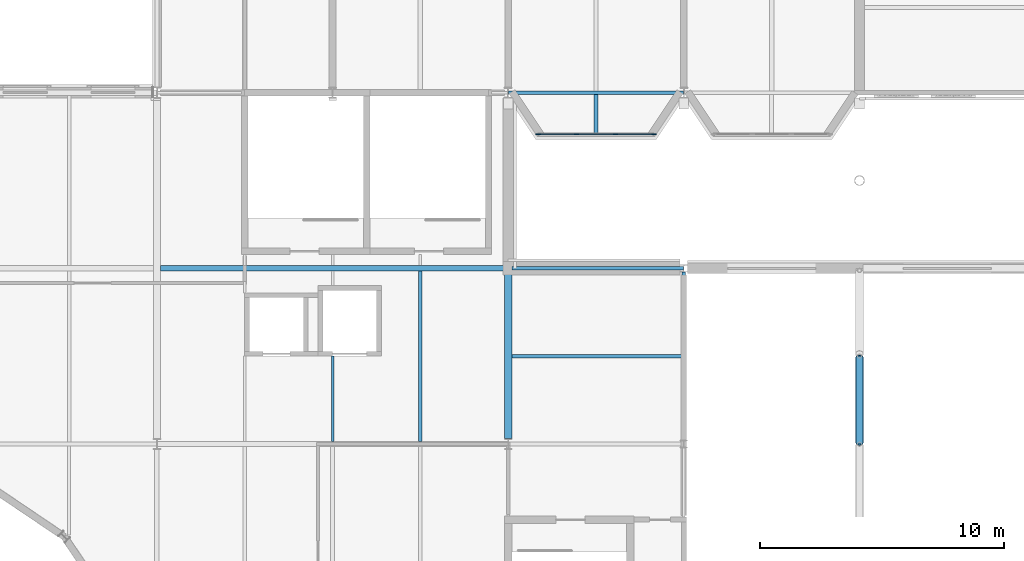
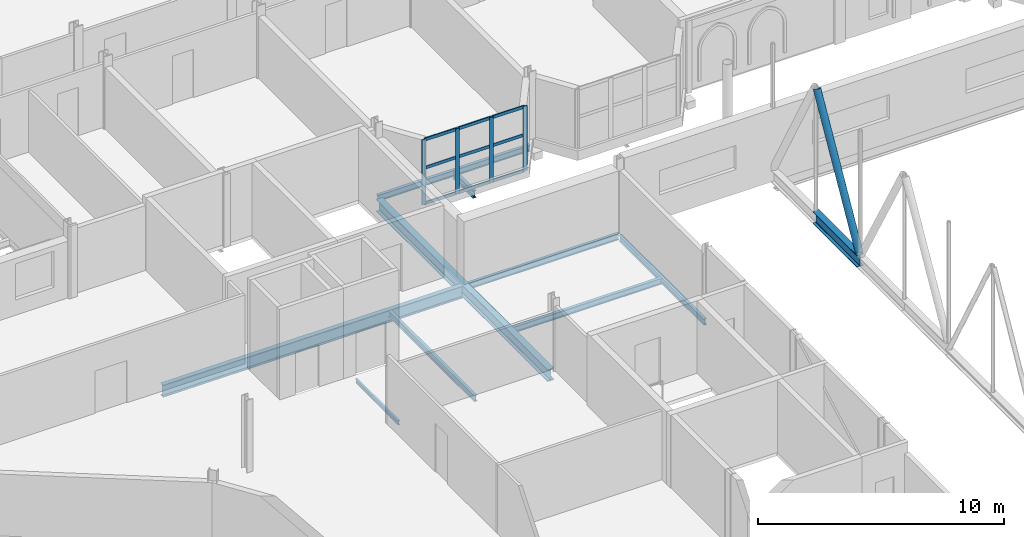
# One storey, part 45 of 142: 15 members, 9 beams, 1 element without a shape of its own.
"""IFC4 building model written with IfcOpenShell, lengths in metres."""

from ifc_helpers import new_model, si_unit, direction, frame, origin, origin_2d, place, context, subcontext, project, spatial, rectangle, hollow_circle, i_section, extrude, material, material_profile, profile_set, type_object, element, aggregate, save


model = new_model("IFC4")

# Units and contexts
model_context = context("Model", 3, precision=1e-05, world=origin(), true_north=direction((0.0, 1.0)))
body_context = subcontext(model_context, "Body", "Model", "MODEL_VIEW")
ifc_project = project(units=[si_unit("LENGTHUNIT", "METRE"), si_unit("AREAUNIT", "SQUARE_METRE"), si_unit("VOLUMEUNIT", "CUBIC_METRE"), si_unit("PLANEANGLEUNIT", "RADIAN"), si_unit("MASSUNIT", "GRAM", prefix="KILO")], contexts=[model_context])

# Site, building, storey
site_placement = place(None, origin())
site = spatial("IfcSite", under=ifc_project, at=site_placement, CompositionType="ELEMENT")
building_placement = place(site_placement, origin())
building = spatial("IfcBuilding", under=site, at=building_placement, Name="Kupolbacken Congress Centre", CompositionType="ELEMENT")
storey_placement = place(building_placement, frame((0.0, 0.0, 14.39990234375)))
storey = spatial("IfcBuildingStorey", under=building, at=storey_placement, Name="L04", CompositionType="ELEMENT", Elevation=14.39990234375)

# Beams
ifc_material_1 = material(Name="Steel S355", Category="steel")
ifc_material_profile_1 = material_profile(ifc_material_1, i_section(OverallWidth=0.10009765625, OverallDepth=0.199951171875, WebThickness=0.005615234375, FlangeThickness=0.008544921875, FilletRadius=0.011962890625, at=origin_2d()), Name="IPE 200")
ifc_profile_set_1 = profile_set([ifc_material_profile_1], Name="Steel S355")
beam_type_1 = type_object("IfcBeamType", Name="B01 beam IPE 200", PredefinedType="BEAM", material=ifc_profile_set_1)
beam_1_placement = place(storey_placement, frame((72.0, 108.110107421875, -0.27978515625), z_axis=(0.0, 1.0, 0.0), x_axis=(-1.0, 0.0, 0.0)))
element("IfcBeam", 1, at=beam_1_placement, inside=storey, type_object=beam_type_1, Name="S/floor/P/L04/S148", PredefinedType="BEAM", context=body_context, shape_type="SweptSolid", body=[
    extrude(i_section(OverallWidth=0.10009765625, OverallDepth=0.199951171875, WebThickness=0.005615234375, FlangeThickness=0.008544921875, FilletRadius=0.011962890625, at=origin_2d()), origin(), (0.0, 0.0, 1.0), 3.489990234375),
])
ifc_material_2 = material(Name="Steel S355", Category="steel")
ifc_material_profile_2 = material_profile(ifc_material_2, i_section(OverallWidth=0.14990234375, OverallDepth=0.300048828125, WebThickness=0.007080078125, FlangeThickness=0.0107421875, FilletRadius=0.014892578125, at=origin_2d()), Name="IPE 300")
ifc_profile_set_2 = profile_set([ifc_material_profile_2], Name="Steel S355")
beam_type_2 = type_object("IfcBeamType", Name="B04 beam IPE 300", PredefinedType="BEAM", material=ifc_profile_set_2)
beam_2_placement = place(storey_placement, frame((75.60009765625, 108.110107421875, -0.329833984375), z_axis=(0.0, 1.0, 0.0), x_axis=(-1.0, 0.0, 0.0)))
element("IfcBeam", 2, at=beam_2_placement, inside=storey, type_object=beam_type_2, Name="S/floor/P/L04/S159", PredefinedType="BEAM", context=body_context, shape_type="SweptSolid", body=[
    extrude(i_section(OverallWidth=0.14990234375, OverallDepth=0.300048828125, WebThickness=0.007080078125, FlangeThickness=0.0107421875, FilletRadius=0.014892578125, at=origin_2d()), origin(), (0.0, 0.0, 1.0), 6.97998046875),
])
beam_3_placement = place(storey_placement, frame((86.39990234375, 108.14501953125, -0.329833984375), z_axis=(0.0, 1.0, 0.0), x_axis=(-1.0, 0.0, 0.0)))
element("IfcBeam", 3, at=beam_3_placement, inside=storey, type_object=beam_type_2, Name="S/floor/LINK/L04/E009", PredefinedType="BEAM", context=body_context, shape_type="SweptSolid", body=[
    extrude(i_section(OverallWidth=0.14990234375, OverallDepth=0.300048828125, WebThickness=0.007080078125, FlangeThickness=0.0107421875, FilletRadius=0.014892578125, at=origin_2d()), origin(), (0.0, 0.0, 1.0), 6.909912109375),
])
beam_4_placement = place(storey_placement, frame((79.35009765625, 111.60009765625, -0.329833984375), z_axis=(1.0, 0.0, 0.0), x_axis=(0.0, 1.0, 0.0)))
element("IfcBeam", 4, at=beam_4_placement, inside=storey, type_object=beam_type_2, Name="S/floor/LINK/L04/R021", PredefinedType="BEAM", context=body_context, shape_type="SweptSolid", body=[
    extrude(i_section(OverallWidth=0.14990234375, OverallDepth=0.300048828125, WebThickness=0.007080078125, FlangeThickness=0.0107421875, FilletRadius=0.014892578125, at=origin_2d()), origin(), (0.0, 0.0, 1.0), 6.974853515625),
])
beam_5_placement = place(storey_placement, frame((79.35009765625, 115.199951171875, -0.329833984375), z_axis=(1.0, 0.0, 0.0), x_axis=(0.0, 1.0, 0.0)))
element("IfcBeam", 5, at=beam_5_placement, inside=storey, type_object=beam_type_2, Name="S/floor/LINK/L04/R022", PredefinedType="BEAM", context=body_context, shape_type="SweptSolid", body=[
    extrude(i_section(OverallWidth=0.14990234375, OverallDepth=0.300048828125, WebThickness=0.007080078125, FlangeThickness=0.0107421875, FilletRadius=0.014892578125, at=origin_2d()), origin(), (0.0, 0.0, 1.0), 7.045654296875),
])
beam_6_placement = place(storey_placement, frame((79.21044921875, 122.39990234375, -0.289794921875), z_axis=(1.0, 0.0, 0.0), x_axis=(0.0, 1.0, 0.0)))
element("IfcBeam", 6, at=beam_6_placement, inside=storey, type_object=beam_type_2, Name="S/floor/T/L04/R001", PredefinedType="BEAM", context=body_context, shape_type="SweptSolid", body=[
    extrude(i_section(OverallWidth=0.14990234375, OverallDepth=0.300048828125, WebThickness=0.007080078125, FlangeThickness=0.0107421875, FilletRadius=0.014892578125, at=origin_2d()), origin(), (0.0, 0.0, 1.0), 7.178955078125),
])
ifc_material_3 = material(Name="Steel S355", Category="steel")
ifc_material_profile_3 = material_profile(ifc_material_3, i_section(OverallWidth=0.169921875, OverallDepth=0.360107421875, WebThickness=0.008056640625, FlangeThickness=0.0126953125, FilletRadius=0.01806640625, at=origin_2d()), Name="IPE 360")
ifc_profile_set_3 = profile_set([ifc_material_profile_3], Name="Steel S355")
beam_type_3 = type_object("IfcBeamType", Name="B06 beam IPE 360", PredefinedType="BEAM", material=ifc_profile_set_3)
beam_7_placement = place(storey_placement, frame((82.800048828125, 122.324951171875, -0.31982421875), z_axis=(0.0, -1.0, 0.0), x_axis=(1.0, 0.0, 0.0)))
element("IfcBeam", 7, at=beam_7_placement, inside=storey, type_object=beam_type_3, Name="S/floor/T/L04/C080", PredefinedType="BEAM", context=body_context, shape_type="SweptSolid", body=[
    extrude(i_section(OverallWidth=0.169921875, OverallDepth=0.360107421875, WebThickness=0.008056640625, FlangeThickness=0.0126953125, FilletRadius=0.01806640625, at=origin_2d()), origin(), (0.0, 0.0, 1.0), 1.6650390625),
])
ifc_material_4 = material(Name="Steel S355", Category="steel")
ifc_material_profile_4 = material_profile(ifc_material_4, i_section(OverallWidth=0.219970703125, OverallDepth=0.60009765625, WebThickness=0.011962890625, FlangeThickness=0.01904296875, FilletRadius=0.02392578125, at=origin_2d()), Name="IPE 600")
ifc_profile_set_4 = profile_set([ifc_material_profile_4], Name="Steel S355")
beam_type_4 = type_object("IfcBeamType", Name="B11 beam IPE 600", PredefinedType="BEAM", material=ifc_profile_set_4)
beam_8_placement = place(storey_placement, frame((64.949951171875, 115.199951171875, -0.47998046875), z_axis=(1.0, 0.0, 0.0), x_axis=(0.0, 1.0, 0.0)))
element("IfcBeam", 8, at=beam_8_placement, inside=storey, type_object=beam_type_4, Name="S/floor/P/L04/R069", PredefinedType="BEAM", context=body_context, shape_type="SweptSolid", body=[
    extrude(i_section(OverallWidth=0.219970703125, OverallDepth=0.60009765625, WebThickness=0.011962890625, FlangeThickness=0.01904296875, FilletRadius=0.02392578125, at=origin_2d()), origin(), (0.0, 0.0, 1.0), 14.10009765625),
])
ifc_material_5 = material(Name="Steel S355", Category="steel")
ifc_material_profile_5 = material_profile(ifc_material_5, i_section(OverallWidth=0.300048828125, OverallDepth=0.60009765625, WebThickness=0.015380859375, FlangeThickness=0.030029296875, FilletRadius=0.027099609375, at=origin_2d()), Name="HEB 600")
ifc_profile_set_5 = profile_set([ifc_material_profile_5], Name="Steel S355")
beam_type_5 = type_object("IfcBeamType", Name="B15 beam HEB 600", PredefinedType="BEAM", material=ifc_profile_set_5)
beam_9_placement = place(storey_placement, frame((79.199951171875, 108.22509765625, -0.47998046875), z_axis=(0.0, 1.0, 0.0), x_axis=(-1.0, 0.0, 0.0)))
element("IfcBeam", 9, at=beam_9_placement, inside=storey, type_object=beam_type_5, Name="S/floor/P/L04/G037", PredefinedType="BEAM", context=body_context, shape_type="SweptSolid", body=[
    extrude(i_section(OverallWidth=0.300048828125, OverallDepth=0.60009765625, WebThickness=0.015380859375, FlangeThickness=0.030029296875, FilletRadius=0.027099609375, at=origin_2d()), origin(), (0.0, 0.0, 1.0), 13.958984375),
])

# Members
ifc_material_6 = material(Name="Steel S355", Category="steel")
ifc_material_profile_6 = material_profile(ifc_material_6, i_section(OverallWidth=0.300048828125, OverallDepth=0.60009765625, WebThickness=0.015380859375, FlangeThickness=0.030029296875, FilletRadius=0.027099609375, at=origin_2d()), Name="HEB 600")
ifc_profile_set_6 = profile_set([ifc_material_profile_6], Name="Steel S355")
member_type_1 = type_object("IfcMemberType", Name="M02 transfer truss chord HEB 600", PredefinedType="CHORD", material=ifc_profile_set_6)
member_1_placement = place(storey_placement, frame((93.60009765625, 108.0, 0.2900390625), z_axis=(0.0, 1.0, 0.0), x_axis=(-1.0, 0.0, 0.0)))
element("IfcMember", 10, at=member_1_placement, inside=storey, type_object=member_type_1, Name="HT/T1/BC19", PredefinedType="CHORD", context=body_context, shape_type="SweptSolid", body=[
    extrude(i_section(OverallWidth=0.300048828125, OverallDepth=0.60009765625, WebThickness=0.015380859375, FlangeThickness=0.030029296875, FilletRadius=0.027099609375, at=origin_2d()), origin(), (0.0, 0.0, 1.0), 3.60009765625),
])
ifc_material_7 = material(Name="Steel S355", Category="steel")
ifc_material_profile_7 = material_profile(ifc_material_7, hollow_circle(Radius=0.161865234375, WallThickness=0.012451171875, at=origin_2d()), Name="CHS 323.9 x 12.5")
ifc_profile_set_7 = profile_set([ifc_material_profile_7], Name="Steel S355")
member_type_2 = type_object("IfcMemberType", Name="M04 transfer truss web CHS 323.9 x 12.5", PredefinedType="BRACE", material=ifc_profile_set_7)
member_2_placement = place(storey_placement, frame((93.60009765625, 108.084228515625, 0.658935546875), z_axis=(0.0, 0.494455978115, 0.869202672399), x_axis=(-1.0, 0.0, 0.0)))
element("IfcMember", 11, at=member_2_placement, inside=storey, type_object=member_type_2, Name="HT/T1/D19", PredefinedType="BRACE", context=body_context, shape_type="SweptSolid", body=[
    extrude(hollow_circle(Radius=0.161865234375, WallThickness=0.012451171875, at=origin_2d()), origin(), (0.0, 0.0, 1.0), 6.940185546875),
])

# Curtain wall, members
ifc_material_8 = material(Name="Aluminium mullion-transom frame with glass", Category="aluminium")
curtain_wall_type = type_object("IfcCurtainWallType", Name="CW1 curtain wall 7200x3600", PredefinedType="NOTDEFINED", material=ifc_material_8)
curtain_wall_placement = place(storey_placement, origin())
curtain_wall = element("IfcCurtainWall", 12, at=curtain_wall_placement, inside=storey, type_object=curtain_wall_type, Name="E/T/cumba/L04/S/004/cw", PredefinedType="NOTDEFINED")
ifc_material_9 = material(Name="Aluminium alloy", Category="aluminium")
ifc_material_profile_8 = material_profile(ifc_material_9, rectangle(XDim=0.050048828125, YDim=0.199951171875, at=origin_2d()), Name="50 x 200")
ifc_profile_set_8 = profile_set([ifc_material_profile_8], Name="Aluminium alloy")
member_type_3 = type_object("IfcMemberType", Name="MU2 mullion 50x200", PredefinedType="MULLION", material=ifc_profile_set_8)
member_3_placement = place(storey_placement, frame((80.425048828125, 120.699951171875, 0.0), z_axis=(0.0, 0.0, 1.0), x_axis=(0.0, 1.0, 0.0)))
member_3 = element("IfcMember", 13, at=member_3_placement, type_object=member_type_3, Name="CW1 mullion 1", PredefinedType="MULLION", context=body_context, shape_type="SweptSolid", body=[
    extrude(rectangle(XDim=0.050048828125, YDim=0.199951171875, at=origin_2d()), origin(), (0.0, 0.0, 1.0), 3.22021484375),
])
member_4_placement = place(storey_placement, frame((82.0, 120.699951171875, 0.0), z_axis=(0.0, 0.0, 1.0), x_axis=(0.0, 1.0, 0.0)))
member_4 = element("IfcMember", 14, at=member_4_placement, type_object=member_type_3, Name="CW1 mullion 2", PredefinedType="MULLION", context=body_context, shape_type="SweptSolid", body=[
    extrude(rectangle(XDim=0.050048828125, YDim=0.199951171875, at=origin_2d()), origin(), (0.0, 0.0, 1.0), 3.22021484375),
])
member_5_placement = place(storey_placement, frame((83.60009765625, 120.699951171875, 0.0), z_axis=(0.0, 0.0, 1.0), x_axis=(0.0, 1.0, 0.0)))
member_5 = element("IfcMember", 15, at=member_5_placement, type_object=member_type_3, Name="CW1 mullion 3", PredefinedType="MULLION", context=body_context, shape_type="SweptSolid", body=[
    extrude(rectangle(XDim=0.050048828125, YDim=0.199951171875, at=origin_2d()), origin(), (0.0, 0.0, 1.0), 3.22021484375),
])
member_6_placement = place(storey_placement, frame((85.175048828125, 120.699951171875, 0.0), z_axis=(0.0, 0.0, 1.0), x_axis=(0.0, 1.0, 0.0)))
member_6 = element("IfcMember", 16, at=member_6_placement, type_object=member_type_3, Name="CW1 mullion 4", PredefinedType="MULLION", context=body_context, shape_type="SweptSolid", body=[
    extrude(rectangle(XDim=0.050048828125, YDim=0.199951171875, at=origin_2d()), origin(), (0.0, 0.0, 1.0), 3.22021484375),
])
ifc_material_10 = material(Name="Aluminium alloy", Category="aluminium")
ifc_material_profile_9 = material_profile(ifc_material_10, rectangle(XDim=0.050048828125, YDim=0.14990234375, at=origin_2d()), Name="50 x 150")
ifc_profile_set_9 = profile_set([ifc_material_profile_9], Name="Aluminium alloy")
member_type_4 = type_object("IfcMemberType", Name="TR2 transom 50x150", PredefinedType="MULLION", material=ifc_profile_set_9)
member_7_placement = place(storey_placement, frame((80.449951171875, 120.699951171875, 0.025146484375), z_axis=(1.0, 0.0, 0.0), x_axis=(0.0, 1.0, 0.0)))
member_7 = element("IfcMember", 17, at=member_7_placement, type_object=member_type_4, Name="CW1 transom 1.1", PredefinedType="MULLION", context=body_context, shape_type="SweptSolid", body=[
    extrude(rectangle(XDim=0.050048828125, YDim=0.14990234375, at=origin_2d()), origin(), (0.0, 0.0, 1.0), 1.525146484375),
])
member_8_placement = place(storey_placement, frame((80.449951171875, 120.699951171875, 1.800048828125), z_axis=(1.0, 0.0, 0.0), x_axis=(0.0, 1.0, 0.0)))
member_8 = element("IfcMember", 18, at=member_8_placement, type_object=member_type_4, Name="CW1 transom 1.2", PredefinedType="MULLION", context=body_context, shape_type="SweptSolid", body=[
    extrude(rectangle(XDim=0.050048828125, YDim=0.14990234375, at=origin_2d()), origin(), (0.0, 0.0, 1.0), 1.525146484375),
])
member_9_placement = place(storey_placement, frame((80.449951171875, 120.699951171875, 3.195068359375), z_axis=(1.0, 0.0, 0.0), x_axis=(0.0, 1.0, 0.0)))
member_9 = element("IfcMember", 19, at=member_9_placement, type_object=member_type_4, Name="CW1 transom 1.3", PredefinedType="MULLION", context=body_context, shape_type="SweptSolid", body=[
    extrude(rectangle(XDim=0.050048828125, YDim=0.14990234375, at=origin_2d()), origin(), (0.0, 0.0, 1.0), 1.525146484375),
])
member_10_placement = place(storey_placement, frame((82.02490234375, 120.699951171875, 0.025146484375), z_axis=(1.0, 0.0, 0.0), x_axis=(0.0, 1.0, 0.0)))
member_10 = element("IfcMember", 20, at=member_10_placement, type_object=member_type_4, Name="CW1 transom 2.1", PredefinedType="MULLION", context=body_context, shape_type="SweptSolid", body=[
    extrude(rectangle(XDim=0.050048828125, YDim=0.14990234375, at=origin_2d()), origin(), (0.0, 0.0, 1.0), 1.550048828125),
])
member_11_placement = place(storey_placement, frame((82.02490234375, 120.699951171875, 1.800048828125), z_axis=(1.0, 0.0, 0.0), x_axis=(0.0, 1.0, 0.0)))
member_11 = element("IfcMember", 21, at=member_11_placement, type_object=member_type_4, Name="CW1 transom 2.2", PredefinedType="MULLION", context=body_context, shape_type="SweptSolid", body=[
    extrude(rectangle(XDim=0.050048828125, YDim=0.14990234375, at=origin_2d()), origin(), (0.0, 0.0, 1.0), 1.550048828125),
])
member_12_placement = place(storey_placement, frame((82.02490234375, 120.699951171875, 3.195068359375), z_axis=(1.0, 0.0, 0.0), x_axis=(0.0, 1.0, 0.0)))
member_12 = element("IfcMember", 22, at=member_12_placement, type_object=member_type_4, Name="CW1 transom 2.3", PredefinedType="MULLION", context=body_context, shape_type="SweptSolid", body=[
    extrude(rectangle(XDim=0.050048828125, YDim=0.14990234375, at=origin_2d()), origin(), (0.0, 0.0, 1.0), 1.550048828125),
])
member_13_placement = place(storey_placement, frame((83.625, 120.699951171875, 0.025146484375), z_axis=(1.0, 0.0, 0.0), x_axis=(0.0, 1.0, 0.0)))
member_13 = element("IfcMember", 23, at=member_13_placement, type_object=member_type_4, Name="CW1 transom 3.1", PredefinedType="MULLION", context=body_context, shape_type="SweptSolid", body=[
    extrude(rectangle(XDim=0.050048828125, YDim=0.14990234375, at=origin_2d()), origin(), (0.0, 0.0, 1.0), 1.52490234375),
])
member_14_placement = place(storey_placement, frame((83.625, 120.699951171875, 1.800048828125), z_axis=(1.0, 0.0, 0.0), x_axis=(0.0, 1.0, 0.0)))
member_14 = element("IfcMember", 24, at=member_14_placement, type_object=member_type_4, Name="CW1 transom 3.2", PredefinedType="MULLION", context=body_context, shape_type="SweptSolid", body=[
    extrude(rectangle(XDim=0.050048828125, YDim=0.14990234375, at=origin_2d()), origin(), (0.0, 0.0, 1.0), 1.52490234375),
])
member_15_placement = place(storey_placement, frame((83.625, 120.699951171875, 3.195068359375), z_axis=(1.0, 0.0, 0.0), x_axis=(0.0, 1.0, 0.0)))
member_15 = element("IfcMember", 25, at=member_15_placement, type_object=member_type_4, Name="CW1 transom 3.3", PredefinedType="MULLION", context=body_context, shape_type="SweptSolid", body=[
    extrude(rectangle(XDim=0.050048828125, YDim=0.14990234375, at=origin_2d()), origin(), (0.0, 0.0, 1.0), 1.52490234375),
])
aggregate(curtain_wall, [member_3, member_4, member_5, member_6, member_7, member_8, member_9, member_10, member_11, member_12, member_13, member_14, member_15])

save(model, "model.ifc")
